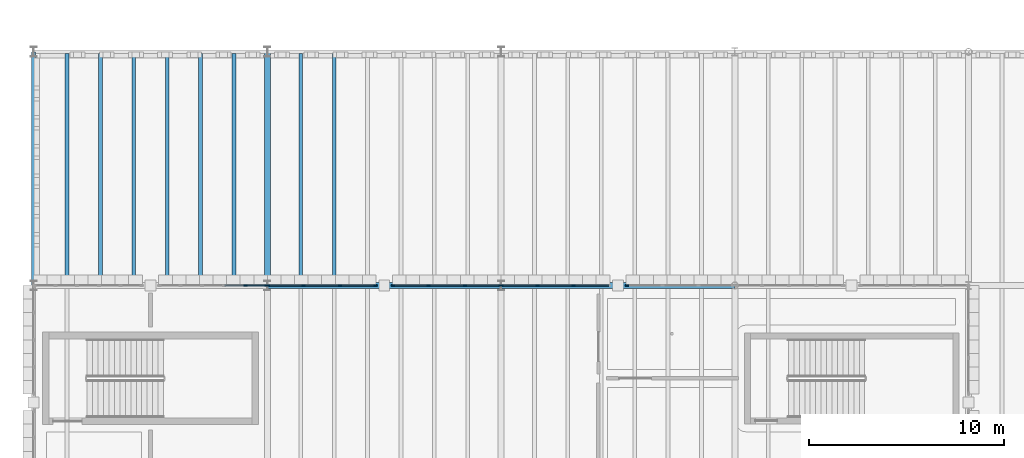
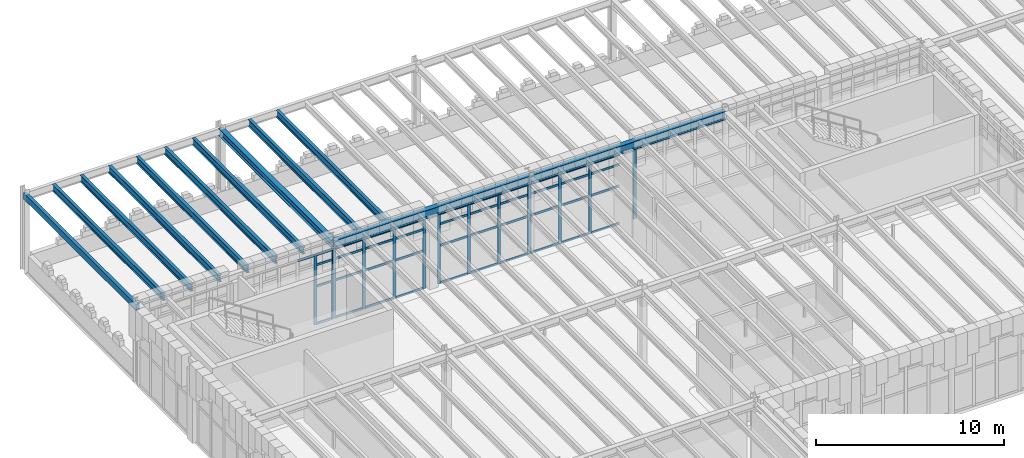
# One storey, part 25 of 100: 55 members, 12 beams, 5 elements without a shape of their own.
"""IFC4 building model written with IfcOpenShell, lengths in metres."""

import ifcopenshell
import ifcopenshell.guid

model = None  # the IFC model being written
_history = None  # IfcOwnerHistory: only IFC2X3 demands one
_inside = {}  # id of a spatial element -> (the spatial element, [elements in it])
_under = {}  # id of a project, library or spatial element -> (it, [spatial elements below it])
_declared = {}  # id of a project -> (the project, [libraries it declares])
_typed = {}  # id of a type object -> (the type object, [elements of that type])
_made_of = {}  # id of a material, layer set ... -> (it, [elements and type objects made of it])


def new_model(schema):
    """Start an empty IFC model of exactly this schema.

    Asked for "IFC4X3", IfcOpenShell would pick the latest addendum, in which some entities
    have other attributes; the version numbers below select the first issue.
    IFC2X3 requires an IfcOwnerHistory on every rooted entity: one is made here for all.
    """
    global model, _history
    if schema == "IFC4X3":
        model = ifcopenshell.file(schema_version=(4, 3, 0, 0))
    else:
        model = ifcopenshell.file(schema=schema)
    _inside.clear()
    _under.clear()
    _declared.clear()
    _typed.clear()
    _made_of.clear()
    _history = None
    if model.schema == "IFC2X3":
        org = make("IfcOrganization", Name="unknown")
        user = make(
            "IfcPersonAndOrganization",
            ThePerson=make("IfcPerson", FamilyName="unknown"),
            TheOrganization=org,
        )
        app = make(
            "IfcApplication",
            ApplicationDeveloper=org,
            Version="unknown",
            ApplicationFullName="unknown",
            ApplicationIdentifier="unknown",
        )
        _history = make(
            "IfcOwnerHistory",
            OwningUser=user,
            OwningApplication=app,
            ChangeAction="ADDED",
            CreationDate=0,
        )
    return model


def make(cls, **values):
    """One entity of the class cls with the attributes given. An attribute that is None is left unset."""
    return model.create_entity(
        cls, **{name: value for name, value in values.items() if value is not None}
    )


def rooted(cls, **values):
    """An entity with a GlobalId (a new one), such as an element, a storey or a relation."""
    return make(cls, GlobalId=ifcopenshell.guid.new(), OwnerHistory=_history, **values)


def si_unit(unit_type, name, prefix=None):
    """IfcSIUnit, for example si_unit("LENGTHUNIT", "METRE", prefix="MILLI")."""
    return make("IfcSIUnit", UnitType=unit_type, Prefix=prefix, Name=name)


def assignment(units):
    """IfcUnitAssignment: the units of a project."""
    return None if units is None else make("IfcUnitAssignment", Units=units)


def point(xyz):
    """IfcCartesianPoint."""
    return None if xyz is None else make("IfcCartesianPoint", Coordinates=xyz)


def direction(xyz):
    """IfcDirection."""
    return None if xyz is None else make("IfcDirection", DirectionRatios=xyz)


def frame(location, z_axis=None, x_axis=None):
    """IfcAxis2Placement3D, a coordinate frame: its origin and axes. An axis left out is left unset."""
    return make(
        "IfcAxis2Placement3D",
        Location=point(location),
        Axis=direction(z_axis),
        RefDirection=direction(x_axis),
    )


def frame_2d(location, x_axis=None):
    """IfcAxis2Placement2D, a coordinate frame in the plane: its origin and x axis."""
    return make(
        "IfcAxis2Placement2D", Location=point(location), RefDirection=direction(x_axis)
    )


def origin():
    """The frame at (0, 0, 0) with its axes left unset."""
    return frame((0.0, 0.0, 0.0))


def origin_2d():
    """The frame at (0, 0) in the plane with its x axis left unset."""
    return frame_2d((0.0, 0.0))


def place(relative_to, where):
    """IfcLocalPlacement: puts the frame where relative to a parent placement (None: the world)."""
    return make(
        "IfcLocalPlacement", PlacementRelTo=relative_to, RelativePlacement=where
    )


def context(
    kind, dimensions, precision=None, world=None, true_north=None, identifier=None
):
    """IfcGeometricRepresentationContext, for example the 3D "Model" context."""
    return make(
        "IfcGeometricRepresentationContext",
        ContextIdentifier=identifier,
        ContextType=kind,
        CoordinateSpaceDimension=dimensions,
        Precision=precision,
        WorldCoordinateSystem=world,
        TrueNorth=true_north,
    )


def subcontext(parent, identifier, kind, view, scale=None):
    """IfcGeometricRepresentationSubContext, for example "Body" below "Model"."""
    return make(
        "IfcGeometricRepresentationSubContext",
        ContextIdentifier=identifier,
        ContextType=kind,
        ParentContext=parent,
        TargetScale=scale,
        TargetView=view,
    )


def project(units=None, contexts=None):
    """IfcProject with its units and contexts."""
    return rooted(
        "IfcProject",
        Name="project",
        RepresentationContexts=contexts,
        UnitsInContext=assignment(units),
    )


def spatial(cls, under=None, at=None, **own):
    """A site, building, storey or space (cls), placed at a placement, below another one or the project."""
    s = rooted(cls, ObjectPlacement=at, **own)
    if under is not None:
        _under.setdefault(under.id(), (under, []))[1].append(s)
    return s


def profile(cls, at=None, kind="AREA", **sizes):
    """A parametric profile (cls). Its sizes go by their IFC names, for example OverallWidth=200.0."""
    return make(cls, ProfileType=kind, Position=at, **sizes)


def rectangle(**sizes):
    """IfcRectangleProfileDef."""
    return profile("IfcRectangleProfileDef", **sizes)


def hollow_rectangle(**sizes):
    """IfcRectangleHollowProfileDef."""
    return profile("IfcRectangleHollowProfileDef", **sizes)


def i_section(**sizes):
    """IfcIShapeProfileDef."""
    return profile("IfcIShapeProfileDef", **sizes)


def extrude(swept, where, along, depth):
    """IfcExtrudedAreaSolid: the profile swept, set in the frame where, extruded along a direction by depth."""
    return make(
        "IfcExtrudedAreaSolid",
        SweptArea=swept,
        Position=where,
        ExtrudedDirection=direction(along),
        Depth=depth,
    )


def shape(context_of_items, identifier, shape_type, items):
    """IfcShapeRepresentation: the items that make up one representation, for example the "Body"."""
    return make(
        "IfcShapeRepresentation",
        ContextOfItems=context_of_items,
        RepresentationIdentifier=identifier,
        RepresentationType=shape_type,
        Items=items,
    )


def material(Name=None, Category=None):
    """IfcMaterial."""
    return make("IfcMaterial", Name=Name, Category=Category)


def layer(
    of_material, thickness, ventilated=None, Name=None, Category=None, Priority=None
):
    """IfcMaterialLayer: one layer of a wall or slab, of a material (None: an air gap)."""
    return make(
        "IfcMaterialLayer",
        Material=of_material,
        LayerThickness=thickness,
        IsVentilated=ventilated,
        Name=Name,
        Category=Category,
        Priority=Priority,
    )


def layer_set(layers, Name=None):
    """IfcMaterialLayerSet."""
    return make("IfcMaterialLayerSet", MaterialLayers=layers, LayerSetName=Name)


def material_profile(
    of_material, cross_section, Name=None, Category=None, Priority=None
):
    """IfcMaterialProfile: a cross section and its material."""
    return make(
        "IfcMaterialProfile",
        Name=Name,
        Material=of_material,
        Profile=cross_section,
        Priority=Priority,
        Category=Category,
    )


def profile_set(profiles, Name=None, composite=None):
    """IfcMaterialProfileSet."""
    return make(
        "IfcMaterialProfileSet",
        Name=Name,
        MaterialProfiles=profiles,
        CompositeProfile=composite,
    )


def made_of(thing, what):
    """Note that an element or type object is made of a material, layer set ...; save() writes the relation."""
    if what is not None:
        _made_of.setdefault(what.id(), (what, []))[1].append(thing)
    return thing


def type_object(cls, material=None, **own):
    """A type object (cls), such as IfcWallType, which elements share."""
    return made_of(rooted(cls, **own), material)


def element(
    cls,
    number,
    at=None,
    inside=None,
    cuts=None,
    type_object=None,
    material=None,
    context=None,
    identifier="Body",
    shape_type=None,
    held_by="IfcProductDefinitionShape",
    body=None,
    shapes=None,
    **own,
):
    """One element of the class cls, such as IfcWall. Its Tag is "e" and its number.

    at: its placement. inside: the storey or other place that contains it. cuts: it is an
    opening in that element (IfcRelVoidsElement). A single representation is given by context,
    identifier, shape_type and body (its items); several are given by shapes. held_by: the class
    of the entity that holds the representations. save() writes the other relations.
    """
    e = rooted(cls, Tag="e%d" % number, ObjectPlacement=at, **own)
    if body is not None:
        shapes = [shape(context, identifier, shape_type, body)]
    if shapes is not None:
        e.Representation = make(held_by, Representations=shapes)
    if inside is not None:
        _inside.setdefault(inside.id(), (inside, []))[1].append(e)
    if cuts is not None:
        rooted(
            "IfcRelVoidsElement", RelatingBuildingElement=cuts, RelatedOpeningElement=e
        )
    if type_object is not None:
        _typed.setdefault(type_object.id(), (type_object, []))[1].append(e)
    return made_of(e, material)


def aggregate(whole, parts):
    """IfcRelAggregates: a whole, such as a stair, and the parts it consists of."""
    return rooted("IfcRelAggregates", RelatingObject=whole, RelatedObjects=parts)


def save(model, path):
    """Write the relations noted so far, then the file.

    IfcRelAggregates (storeys below a building ...), IfcRelContainedInSpatialStructure (elements
    in a storey), IfcRelDefinesByType, IfcRelAssociatesMaterial and IfcRelDeclares: one each for
    every whole, place, type object, material and project.
    """
    for whole, parts in _under.values():
        aggregate(whole, parts)
    for where, things in _inside.values():
        rooted(
            "IfcRelContainedInSpatialStructure",
            RelatedElements=things,
            RelatingStructure=where,
        )
    for kind, things in _typed.values():
        rooted("IfcRelDefinesByType", RelatedObjects=things, RelatingType=kind)
    for what, things in _made_of.values():
        rooted("IfcRelAssociatesMaterial", RelatedObjects=things, RelatingMaterial=what)
    for by, libraries in _declared.values():
        rooted("IfcRelDeclares", RelatingContext=by, RelatedDefinitions=libraries)
    model.write(path)


model = new_model("IFC4")

# Units and contexts
model_context = context("Model", 3, precision=1e-05, world=origin(), true_north=direction((0.0, 1.0)))
body_context = subcontext(model_context, "Body", "Model", "MODEL_VIEW")
ifc_project = project(units=[si_unit("LENGTHUNIT", "METRE"), si_unit("AREAUNIT", "SQUARE_METRE"), si_unit("VOLUMEUNIT", "CUBIC_METRE"), si_unit("PLANEANGLEUNIT", "RADIAN"), si_unit("MASSUNIT", "GRAM", prefix="KILO")], contexts=[model_context])

# Site, building, storey
site_placement = place(None, origin())
site = spatial("IfcSite", under=ifc_project, at=site_placement, CompositionType="ELEMENT")
building_placement = place(site_placement, origin())
building = spatial("IfcBuilding", under=site, at=building_placement, Name="Zlatogorsky Bluff Art Gallery", CompositionType="ELEMENT")
storey_placement = place(building_placement, frame((0.0, 0.0, 5.39990234375)))
storey = spatial("IfcBuildingStorey", under=building, at=storey_placement, Name="L01", CompositionType="ELEMENT", Elevation=5.39990234375)

# Beams
ifc_material_1 = material(Name="Steel S355", Category="steel")
ifc_material_profile_1 = material_profile(ifc_material_1, i_section(OverallWidth=0.300048828125, OverallDepth=0.5400390625, WebThickness=0.012451171875, FlangeThickness=0.02392578125, FilletRadius=0.027099609375, at=origin_2d()), Name="HEA 550")
ifc_profile_set_1 = profile_set([ifc_material_profile_1], Name="Steel S355")
beam_type_1 = type_object("IfcBeamType", Name="Beam BM-06 HEA 550", PredefinedType="BEAM", material=ifc_profile_set_1)
for number, where, z_axis, x_axis, name in (
    (1, (12.014892578125, 108.0, 4.840087890625), (1.0, 0.0, 0.0), (0.0, 1.0, 0.0), "Primary girder BM-06 L01 B-C/11"),
    (2, (24.014892578125, 108.0, 4.840087890625), (1.0, 0.0, 0.0), (0.0, 1.0, 0.0), "Primary girder BM-06 L01 C-D/11"),
):
    element("IfcBeam", number, at=place(storey_placement, frame(where, z_axis=z_axis, x_axis=x_axis)), inside=storey, type_object=beam_type_1, Name=name, PredefinedType="BEAM", context=body_context, shape_type="SweptSolid", body=[
        extrude(i_section(OverallWidth=0.300048828125, OverallDepth=0.5400390625, WebThickness=0.012451171875, FlangeThickness=0.02392578125, FilletRadius=0.027099609375, at=origin_2d()), origin(), (0.0, 0.0, 1.0), 11.97021484375),
    ])
ifc_material_profile_2 = material_profile(ifc_material_1, i_section(OverallWidth=0.300048828125, OverallDepth=0.489990234375, WebThickness=0.011962890625, FlangeThickness=0.02294921875, FilletRadius=0.027099609375, at=origin_2d()), Name="HEA 500")
ifc_profile_set_2 = profile_set([ifc_material_profile_2], Name="Steel S355")
beam_type_2 = type_object("IfcBeamType", Name="Beam BM-07 HEA 500", PredefinedType="BEAM", material=ifc_profile_set_2)
beam_1_placement = place(storey_placement, frame((12.0, 108.014892578125, 4.864990234375), z_axis=(0.0, 1.0, 0.0), x_axis=(-1.0, 0.0, 0.0)))
element("IfcBeam", 3, at=beam_1_placement, inside=storey, type_object=beam_type_2, Name="Primary girder BM-07 L01 B/11-12", PredefinedType="BEAM", context=body_context, shape_type="SweptSolid", body=[
    extrude(i_section(OverallWidth=0.300048828125, OverallDepth=0.489990234375, WebThickness=0.011962890625, FlangeThickness=0.02294921875, FilletRadius=0.027099609375, at=origin_2d()), origin(), (0.0, 0.0, 1.0), 11.97021484375),
])
ifc_material_profile_3 = material_profile(ifc_material_1, i_section(OverallWidth=0.18994140625, OverallDepth=0.449951171875, WebThickness=0.009521484375, FlangeThickness=0.0146484375, FilletRadius=0.02099609375, at=origin_2d()), Name="IPE 450")
ifc_profile_set_3 = profile_set([ifc_material_profile_3], Name="Steel S355")
beam_type_3 = type_object("IfcBeamType", Name="Beam JS-06 IPE 450", PredefinedType="JOIST", material=ifc_profile_set_3)
for number, where, z_axis, x_axis, name in (
    (4, (1.71435546875, 108.14990234375, 4.885009765625), (0.0, 1.0, 0.0), (-1.0, 0.0, 0.0), "Composite floor joist JS-06 L01 00.10.1"),
    (5, (3.428466796875, 108.14990234375, 4.885009765625), (0.0, 1.0, 0.0), (-1.0, 0.0, 0.0), "Composite floor joist JS-06 L01 00.10.2"),
    (6, (5.142822265625, 108.14990234375, 4.885009765625), (0.0, 1.0, 0.0), (-1.0, 0.0, 0.0), "Composite floor joist JS-06 L01 00.10.3"),
    (7, (6.857177734375, 108.14990234375, 4.885009765625), (0.0, 1.0, 0.0), (-1.0, 0.0, 0.0), "Composite floor joist JS-06 L01 00.10.4"),
    (8, (8.571533203125, 108.14990234375, 4.885009765625), (0.0, 1.0, 0.0), (-1.0, 0.0, 0.0), "Composite floor joist JS-06 L01 00.10.5"),
    (9, (10.28564453125, 108.14990234375, 4.885009765625), (0.0, 1.0, 0.0), (-1.0, 0.0, 0.0), "Composite floor joist JS-06 L01 00.10.6"),
    (10, (13.71435546875, 108.14990234375, 4.885009765625), (0.0, 1.0, 0.0), (-1.0, 0.0, 0.0), "Composite floor joist JS-06 L01 01.10.1"),
    (11, (15.428466796875, 108.14990234375, 4.885009765625), (0.0, 1.0, 0.0), (-1.0, 0.0, 0.0), "Composite floor joist JS-06 L01 01.10.2"),
):
    element("IfcBeam", number, at=place(storey_placement, frame(where, z_axis=z_axis, x_axis=x_axis)), inside=storey, type_object=beam_type_3, Name=name, PredefinedType="JOIST", context=body_context, shape_type="SweptSolid", body=[
        extrude(i_section(OverallWidth=0.18994140625, OverallDepth=0.449951171875, WebThickness=0.009521484375, FlangeThickness=0.0146484375, FilletRadius=0.02099609375, at=origin_2d()), origin(), (0.0, 0.0, 1.0), 11.75),
    ])
ifc_material_profile_4 = material_profile(ifc_material_1, hollow_rectangle(XDim=0.199951171875, YDim=0.39990234375, WallThickness=0.01611328125, at=origin_2d()), Name="RHS 400x200x16")
ifc_profile_set_4 = profile_set([ifc_material_profile_4], Name="Steel S355")
beam_type_4 = type_object("IfcBeamType", Name="Beam SP-02 RHS 400x200x16", PredefinedType="SPANDREL", material=ifc_profile_set_4)
beam_2_placement = place(storey_placement, frame((0.0, 108.014892578125, 4.91015625), z_axis=(0.0, 1.0, 0.0), x_axis=(-1.0, 0.0, 0.0)))
element("IfcBeam", 12, at=beam_2_placement, inside=storey, type_object=beam_type_4, Name="Primary girder SP-02 L01 A/11-12", PredefinedType="SPANDREL", context=body_context, shape_type="SweptSolid", body=[
    extrude(hollow_rectangle(XDim=0.199951171875, YDim=0.39990234375, WallThickness=0.01611328125, at=origin_2d()), origin(), (0.0, 0.0, 1.0), 11.97021484375),
])

# Curtain wall, members
ifc_material_2 = material(Name="Anodised Bronze Aluminium and Low-Iron Triple Glazing", Category="aluminium")
ifc_layer_1 = layer(ifc_material_2, 0.179931640625)
ifc_layer_set_1 = layer_set([ifc_layer_1], Name="Curtain Wall CW-03")
curtain_wall_type_1 = type_object("IfcCurtainWallType", Name="Curtain Wall CW-03", PredefinedType="USERDEFINED", material=ifc_layer_set_1)
curtain_wall_1_placement = place(storey_placement, origin())
curtain_wall_1 = element("IfcCurtainWall", 13, at=curtain_wall_1_placement, inside=storey, type_object=curtain_wall_type_1, Name="Unitised curtain wall CW-03 L01 N 0.9-A", ObjectType="CURTAIN WALL", PredefinedType="USERDEFINED")
ifc_material_3 = material(Name="Anodised Bronze Aluminium", Category="aluminium")
ifc_material_profile_5 = material_profile(ifc_material_3, rectangle(XDim=0.06494140625, YDim=0.179931640625, at=origin_2d()), Name="ALU MULLION 65x180")
ifc_profile_set_5 = profile_set([ifc_material_profile_5], Name="Anodised Bronze Aluminium")
member_type_1 = type_object("IfcMemberType", Name="Curtain Mullion ML-01", PredefinedType="MULLION", material=ifc_profile_set_5)
member_1_placement = place(storey_placement, frame((11.967529296875, 108.0, 0.0), z_axis=(0.0, 0.0, 1.0), x_axis=(0.0, -1.0, 0.0)))
member_1 = element("IfcMember", 14, at=member_1_placement, type_object=member_type_1, Name="CW-03 mullion 1", PredefinedType="MULLION", context=body_context, shape_type="SweptSolid", body=[
    extrude(rectangle(XDim=0.06494140625, YDim=0.179931640625, at=origin_2d()), origin(), (0.0, 0.0, 1.0), 4.530029296875),
])
member_2_placement = place(storey_placement, frame((10.884033203125, 108.0, 0.0), z_axis=(0.0, 0.0, 1.0), x_axis=(0.0, -1.0, 0.0)))
member_2 = element("IfcMember", 15, at=member_2_placement, type_object=member_type_1, Name="CW-03 mullion 2", PredefinedType="MULLION", context=body_context, shape_type="SweptSolid", body=[
    extrude(rectangle(XDim=0.06494140625, YDim=0.179931640625, at=origin_2d()), origin(), (0.0, 0.0, 1.0), 4.530029296875),
])

ifc_layer_2 = layer(ifc_material_2, 0.219970703125)
ifc_layer_set_2 = layer_set([ifc_layer_2], Name="Curtain Wall CW-04")
curtain_wall_type_2 = type_object("IfcCurtainWallType", Name="Curtain Wall CW-04", PredefinedType="USERDEFINED", material=ifc_layer_set_2)
curtain_wall_2_placement = place(storey_placement, origin())
curtain_wall_2 = element("IfcCurtainWall", 16, at=curtain_wall_2_placement, inside=storey, type_object=curtain_wall_type_2, Name="Unitised curtain wall CW-04 L01 N 1.9-A", ObjectType="CURTAIN WALL", PredefinedType="USERDEFINED")
member_3_placement = place(storey_placement, frame((23.967529296875, 108.0, 0.0), z_axis=(0.0, 0.0, 1.0), x_axis=(0.0, -1.0, 0.0)))
member_3 = element("IfcMember", 17, at=member_3_placement, type_object=member_type_1, Name="CW-04 mullion 1", PredefinedType="MULLION", context=body_context, shape_type="SweptSolid", body=[
    extrude(rectangle(XDim=0.06494140625, YDim=0.179931640625, at=origin_2d()), origin(), (0.0, 0.0, 1.0), 4.530029296875),
])
member_4_placement = place(storey_placement, frame((22.139892578125, 108.0, 0.0), z_axis=(0.0, 0.0, 1.0), x_axis=(0.0, -1.0, 0.0)))
member_4 = element("IfcMember", 18, at=member_4_placement, type_object=member_type_1, Name="CW-04 mullion 2", PredefinedType="MULLION", context=body_context, shape_type="SweptSolid", body=[
    extrude(rectangle(XDim=0.06494140625, YDim=0.179931640625, at=origin_2d()), origin(), (0.0, 0.0, 1.0), 4.530029296875),
])
member_5_placement = place(storey_placement, frame((20.280029296875, 108.0, 0.0), z_axis=(0.0, 0.0, 1.0), x_axis=(0.0, -1.0, 0.0)))
member_5 = element("IfcMember", 19, at=member_5_placement, type_object=member_type_1, Name="CW-04 mullion 3", PredefinedType="MULLION", context=body_context, shape_type="SweptSolid", body=[
    extrude(rectangle(XDim=0.06494140625, YDim=0.179931640625, at=origin_2d()), origin(), (0.0, 0.0, 1.0), 4.530029296875),
])
member_6_placement = place(storey_placement, frame((18.452392578125, 108.0, 0.0), z_axis=(0.0, 0.0, 1.0), x_axis=(0.0, -1.0, 0.0)))
member_6 = element("IfcMember", 20, at=member_6_placement, type_object=member_type_1, Name="CW-04 mullion 4", PredefinedType="MULLION", context=body_context, shape_type="SweptSolid", body=[
    extrude(rectangle(XDim=0.06494140625, YDim=0.179931640625, at=origin_2d()), origin(), (0.0, 0.0, 1.0), 4.530029296875),
])

curtain_wall_3_placement = place(storey_placement, origin())
curtain_wall_3 = element("IfcCurtainWall", 21, at=curtain_wall_3_placement, inside=storey, type_object=curtain_wall_type_2, Name="Unitised curtain wall CW-04 L01 N 1.9-B", ObjectType="CURTAIN WALL", PredefinedType="USERDEFINED")
member_7_placement = place(storey_placement, frame((17.547607421875, 108.0, 0.0), z_axis=(0.0, 0.0, 1.0), x_axis=(0.0, -1.0, 0.0)))
member_7 = element("IfcMember", 22, at=member_7_placement, type_object=member_type_1, Name="CW-04 mullion 1", PredefinedType="MULLION", context=body_context, shape_type="SweptSolid", body=[
    extrude(rectangle(XDim=0.06494140625, YDim=0.179931640625, at=origin_2d()), origin(), (0.0, 0.0, 1.0), 4.530029296875),
])
member_8_placement = place(storey_placement, frame((15.719970703125, 108.0, 0.0), z_axis=(0.0, 0.0, 1.0), x_axis=(0.0, -1.0, 0.0)))
member_8 = element("IfcMember", 23, at=member_8_placement, type_object=member_type_1, Name="CW-04 mullion 2", PredefinedType="MULLION", context=body_context, shape_type="SweptSolid", body=[
    extrude(rectangle(XDim=0.06494140625, YDim=0.179931640625, at=origin_2d()), origin(), (0.0, 0.0, 1.0), 4.530029296875),
])
member_9_placement = place(storey_placement, frame((13.860107421875, 108.0, 0.0), z_axis=(0.0, 0.0, 1.0), x_axis=(0.0, -1.0, 0.0)))
member_9 = element("IfcMember", 24, at=member_9_placement, type_object=member_type_1, Name="CW-04 mullion 3", PredefinedType="MULLION", context=body_context, shape_type="SweptSolid", body=[
    extrude(rectangle(XDim=0.06494140625, YDim=0.179931640625, at=origin_2d()), origin(), (0.0, 0.0, 1.0), 4.530029296875),
])
member_10_placement = place(storey_placement, frame((12.032470703125, 108.0, 0.0), z_axis=(0.0, 0.0, 1.0), x_axis=(0.0, -1.0, 0.0)))
member_10 = element("IfcMember", 25, at=member_10_placement, type_object=member_type_1, Name="CW-04 mullion 4", PredefinedType="MULLION", context=body_context, shape_type="SweptSolid", body=[
    extrude(rectangle(XDim=0.06494140625, YDim=0.179931640625, at=origin_2d()), origin(), (0.0, 0.0, 1.0), 4.530029296875),
])

# Curtain wall, member
curtain_wall_4_placement = place(storey_placement, origin())
curtain_wall_4 = element("IfcCurtainWall", 26, at=curtain_wall_4_placement, inside=storey, type_object=curtain_wall_type_2, Name="Unitised curtain wall CW-04 L01 N 2.9-A", ObjectType="CURTAIN WALL", PredefinedType="USERDEFINED")
member_11_placement = place(storey_placement, frame((30.452392578125, 108.0, 0.0), z_axis=(0.0, 0.0, 1.0), x_axis=(0.0, -1.0, 0.0)))
member_11 = element("IfcMember", 27, at=member_11_placement, type_object=member_type_1, Name="CW-04 mullion 4", PredefinedType="MULLION", context=body_context, shape_type="SweptSolid", body=[
    extrude(rectangle(XDim=0.06494140625, YDim=0.179931640625, at=origin_2d()), origin(), (0.0, 0.0, 1.0), 4.530029296875),
])
aggregate(curtain_wall_4, [member_11])

# Curtain wall, members
curtain_wall_5_placement = place(storey_placement, origin())
curtain_wall_5 = element("IfcCurtainWall", 28, at=curtain_wall_5_placement, inside=storey, type_object=curtain_wall_type_2, Name="Unitised curtain wall CW-04 L01 N 2.9-B", ObjectType="CURTAIN WALL", PredefinedType="USERDEFINED")
member_12_placement = place(storey_placement, frame((27.719970703125, 108.0, 0.0), z_axis=(0.0, 0.0, 1.0), x_axis=(0.0, -1.0, 0.0)))
member_12 = element("IfcMember", 29, at=member_12_placement, type_object=member_type_1, Name="CW-04 mullion 2", PredefinedType="MULLION", context=body_context, shape_type="SweptSolid", body=[
    extrude(rectangle(XDim=0.06494140625, YDim=0.179931640625, at=origin_2d()), origin(), (0.0, 0.0, 1.0), 4.530029296875),
])
member_13_placement = place(storey_placement, frame((25.860107421875, 108.0, 0.0), z_axis=(0.0, 0.0, 1.0), x_axis=(0.0, -1.0, 0.0)))
member_13 = element("IfcMember", 30, at=member_13_placement, type_object=member_type_1, Name="CW-04 mullion 3", PredefinedType="MULLION", context=body_context, shape_type="SweptSolid", body=[
    extrude(rectangle(XDim=0.06494140625, YDim=0.179931640625, at=origin_2d()), origin(), (0.0, 0.0, 1.0), 4.530029296875),
])
member_14_placement = place(storey_placement, frame((24.032470703125, 108.0, 0.0), z_axis=(0.0, 0.0, 1.0), x_axis=(0.0, -1.0, 0.0)))
member_14 = element("IfcMember", 31, at=member_14_placement, type_object=member_type_1, Name="CW-04 mullion 4", PredefinedType="MULLION", context=body_context, shape_type="SweptSolid", body=[
    extrude(rectangle(XDim=0.06494140625, YDim=0.179931640625, at=origin_2d()), origin(), (0.0, 0.0, 1.0), 4.530029296875),
])

# Member
ifc_material_profile_6 = material_profile(ifc_material_3, rectangle(XDim=0.06494140625, YDim=0.139892578125, at=origin_2d()), Name="ALU TRANSOM 65x140")
ifc_profile_set_6 = profile_set([ifc_material_profile_6], Name="Anodised Bronze Aluminium")
member_type_2 = type_object("IfcMemberType", Name="Curtain Transom TR-01", PredefinedType="USERDEFINED", material=ifc_profile_set_6)
member_15_placement = place(storey_placement, frame((11.93505859375, 108.0, 0.03271484375), z_axis=(-1.0, 0.0, 0.0), x_axis=(0.0, -1.0, 0.0)))
member_15 = element("IfcMember", 32, at=member_15_placement, type_object=member_type_2, Name="CW-03 transom 1.1", ObjectType="TRANSOM", PredefinedType="USERDEFINED", context=body_context, shape_type="SweptSolid", body=[
    extrude(rectangle(XDim=0.06494140625, YDim=0.139892578125, at=origin_2d()), origin(), (0.0, 0.0, 1.0), 1.0185546875),
])

member_16_placement = place(storey_placement, frame((11.93505859375, 108.0, 2.4501953125), z_axis=(-1.0, 0.0, 0.0), x_axis=(0.0, -1.0, 0.0)))
member_16 = element("IfcMember", 33, at=member_16_placement, type_object=member_type_2, Name="CW-03 transom 1.2", ObjectType="TRANSOM", PredefinedType="USERDEFINED", context=body_context, shape_type="SweptSolid", body=[
    extrude(rectangle(XDim=0.06494140625, YDim=0.139892578125, at=origin_2d()), origin(), (0.0, 0.0, 1.0), 1.0185546875),
])

member_17_placement = place(storey_placement, frame((11.93505859375, 108.0, 3.85009765625), z_axis=(-1.0, 0.0, 0.0), x_axis=(0.0, -1.0, 0.0)))
member_17 = element("IfcMember", 34, at=member_17_placement, type_object=member_type_2, Name="CW-03 transom 1.3", ObjectType="TRANSOM", PredefinedType="USERDEFINED", context=body_context, shape_type="SweptSolid", body=[
    extrude(rectangle(XDim=0.06494140625, YDim=0.139892578125, at=origin_2d()), origin(), (0.0, 0.0, 1.0), 1.0185546875),
])

member_18_placement = place(storey_placement, frame((11.93505859375, 108.0, 4.49755859375), z_axis=(-1.0, 0.0, 0.0), x_axis=(0.0, -1.0, 0.0)))
member_18 = element("IfcMember", 35, at=member_18_placement, type_object=member_type_2, Name="CW-03 transom 1.4", ObjectType="TRANSOM", PredefinedType="USERDEFINED", context=body_context, shape_type="SweptSolid", body=[
    extrude(rectangle(XDim=0.06494140625, YDim=0.139892578125, at=origin_2d()), origin(), (0.0, 0.0, 1.0), 1.0185546875),
])

member_19_placement = place(storey_placement, frame((10.8515625, 108.0, 4.49755859375), z_axis=(-1.0, 0.0, 0.0), x_axis=(0.0, -1.0, 0.0)))
member_19 = element("IfcMember", 36, at=member_19_placement, type_object=member_type_2, Name="CW-03 transom 2.4", ObjectType="TRANSOM", PredefinedType="USERDEFINED", context=body_context, shape_type="SweptSolid", body=[
    extrude(rectangle(XDim=0.06494140625, YDim=0.139892578125, at=origin_2d()), origin(), (0.0, 0.0, 1.0), 1.051025390625),
])

aggregate(curtain_wall_1, [member_1, member_2, member_15, member_16, member_17, member_18, member_19])

member_20_placement = place(storey_placement, frame((23.93505859375, 108.0, 0.03271484375), z_axis=(-1.0, 0.0, 0.0), x_axis=(0.0, -1.0, 0.0)))
member_20 = element("IfcMember", 37, at=member_20_placement, type_object=member_type_2, Name="CW-04 transom 1.1", ObjectType="TRANSOM", PredefinedType="USERDEFINED", context=body_context, shape_type="SweptSolid", body=[
    extrude(rectangle(XDim=0.06494140625, YDim=0.139892578125, at=origin_2d()), origin(), (0.0, 0.0, 1.0), 1.762451171875),
])

member_21_placement = place(storey_placement, frame((23.93505859375, 108.0, 2.4501953125), z_axis=(-1.0, 0.0, 0.0), x_axis=(0.0, -1.0, 0.0)))
member_21 = element("IfcMember", 38, at=member_21_placement, type_object=member_type_2, Name="CW-04 transom 1.2", ObjectType="TRANSOM", PredefinedType="USERDEFINED", context=body_context, shape_type="SweptSolid", body=[
    extrude(rectangle(XDim=0.06494140625, YDim=0.139892578125, at=origin_2d()), origin(), (0.0, 0.0, 1.0), 1.762451171875),
])

member_22_placement = place(storey_placement, frame((23.93505859375, 108.0, 3.85009765625), z_axis=(-1.0, 0.0, 0.0), x_axis=(0.0, -1.0, 0.0)))
member_22 = element("IfcMember", 39, at=member_22_placement, type_object=member_type_2, Name="CW-04 transom 1.3", ObjectType="TRANSOM", PredefinedType="USERDEFINED", context=body_context, shape_type="SweptSolid", body=[
    extrude(rectangle(XDim=0.06494140625, YDim=0.139892578125, at=origin_2d()), origin(), (0.0, 0.0, 1.0), 1.762451171875),
])

member_23_placement = place(storey_placement, frame((23.93505859375, 108.0, 4.49755859375), z_axis=(-1.0, 0.0, 0.0), x_axis=(0.0, -1.0, 0.0)))
member_23 = element("IfcMember", 40, at=member_23_placement, type_object=member_type_2, Name="CW-04 transom 1.4", ObjectType="TRANSOM", PredefinedType="USERDEFINED", context=body_context, shape_type="SweptSolid", body=[
    extrude(rectangle(XDim=0.06494140625, YDim=0.139892578125, at=origin_2d()), origin(), (0.0, 0.0, 1.0), 1.762451171875),
])

member_24_placement = place(storey_placement, frame((22.107421875, 108.0, 0.03271484375), z_axis=(-1.0, 0.0, 0.0), x_axis=(0.0, -1.0, 0.0)))
member_24 = element("IfcMember", 41, at=member_24_placement, type_object=member_type_2, Name="CW-04 transom 2.1", ObjectType="TRANSOM", PredefinedType="USERDEFINED", context=body_context, shape_type="SweptSolid", body=[
    extrude(rectangle(XDim=0.06494140625, YDim=0.139892578125, at=origin_2d()), origin(), (0.0, 0.0, 1.0), 1.794921875),
])

member_25_placement = place(storey_placement, frame((22.107421875, 108.0, 2.4501953125), z_axis=(-1.0, 0.0, 0.0), x_axis=(0.0, -1.0, 0.0)))
member_25 = element("IfcMember", 42, at=member_25_placement, type_object=member_type_2, Name="CW-04 transom 2.2", ObjectType="TRANSOM", PredefinedType="USERDEFINED", context=body_context, shape_type="SweptSolid", body=[
    extrude(rectangle(XDim=0.06494140625, YDim=0.139892578125, at=origin_2d()), origin(), (0.0, 0.0, 1.0), 1.794921875),
])

member_26_placement = place(storey_placement, frame((22.107421875, 108.0, 3.85009765625), z_axis=(-1.0, 0.0, 0.0), x_axis=(0.0, -1.0, 0.0)))
member_26 = element("IfcMember", 43, at=member_26_placement, type_object=member_type_2, Name="CW-04 transom 2.3", ObjectType="TRANSOM", PredefinedType="USERDEFINED", context=body_context, shape_type="SweptSolid", body=[
    extrude(rectangle(XDim=0.06494140625, YDim=0.139892578125, at=origin_2d()), origin(), (0.0, 0.0, 1.0), 1.794921875),
])

member_27_placement = place(storey_placement, frame((22.107421875, 108.0, 4.49755859375), z_axis=(-1.0, 0.0, 0.0), x_axis=(0.0, -1.0, 0.0)))
member_27 = element("IfcMember", 44, at=member_27_placement, type_object=member_type_2, Name="CW-04 transom 2.4", ObjectType="TRANSOM", PredefinedType="USERDEFINED", context=body_context, shape_type="SweptSolid", body=[
    extrude(rectangle(XDim=0.06494140625, YDim=0.139892578125, at=origin_2d()), origin(), (0.0, 0.0, 1.0), 1.794921875),
])

member_28_placement = place(storey_placement, frame((20.24755859375, 108.0, 0.03271484375), z_axis=(-1.0, 0.0, 0.0), x_axis=(0.0, -1.0, 0.0)))
member_28 = element("IfcMember", 45, at=member_28_placement, type_object=member_type_2, Name="CW-04 transom 3.1", ObjectType="TRANSOM", PredefinedType="USERDEFINED", context=body_context, shape_type="SweptSolid", body=[
    extrude(rectangle(XDim=0.06494140625, YDim=0.139892578125, at=origin_2d()), origin(), (0.0, 0.0, 1.0), 1.762451171875),
])

member_29_placement = place(storey_placement, frame((20.24755859375, 108.0, 2.4501953125), z_axis=(-1.0, 0.0, 0.0), x_axis=(0.0, -1.0, 0.0)))
member_29 = element("IfcMember", 46, at=member_29_placement, type_object=member_type_2, Name="CW-04 transom 3.2", ObjectType="TRANSOM", PredefinedType="USERDEFINED", context=body_context, shape_type="SweptSolid", body=[
    extrude(rectangle(XDim=0.06494140625, YDim=0.139892578125, at=origin_2d()), origin(), (0.0, 0.0, 1.0), 1.762451171875),
])

member_30_placement = place(storey_placement, frame((20.24755859375, 108.0, 3.85009765625), z_axis=(-1.0, 0.0, 0.0), x_axis=(0.0, -1.0, 0.0)))
member_30 = element("IfcMember", 47, at=member_30_placement, type_object=member_type_2, Name="CW-04 transom 3.3", ObjectType="TRANSOM", PredefinedType="USERDEFINED", context=body_context, shape_type="SweptSolid", body=[
    extrude(rectangle(XDim=0.06494140625, YDim=0.139892578125, at=origin_2d()), origin(), (0.0, 0.0, 1.0), 1.762451171875),
])

member_31_placement = place(storey_placement, frame((20.24755859375, 108.0, 4.49755859375), z_axis=(-1.0, 0.0, 0.0), x_axis=(0.0, -1.0, 0.0)))
member_31 = element("IfcMember", 48, at=member_31_placement, type_object=member_type_2, Name="CW-04 transom 3.4", ObjectType="TRANSOM", PredefinedType="USERDEFINED", context=body_context, shape_type="SweptSolid", body=[
    extrude(rectangle(XDim=0.06494140625, YDim=0.139892578125, at=origin_2d()), origin(), (0.0, 0.0, 1.0), 1.762451171875),
])

aggregate(curtain_wall_2, [member_3, member_4, member_5, member_6, member_20, member_21, member_22, member_23, member_24, member_25, member_26, member_27, member_28, member_29, member_30, member_31])

member_32_placement = place(storey_placement, frame((17.514892578125, 108.0, 0.03271484375), z_axis=(-1.0, 0.0, 0.0), x_axis=(0.0, -1.0, 0.0)))
member_32 = element("IfcMember", 49, at=member_32_placement, type_object=member_type_2, Name="CW-04 transom 1.1", ObjectType="TRANSOM", PredefinedType="USERDEFINED", context=body_context, shape_type="SweptSolid", body=[
    extrude(rectangle(XDim=0.06494140625, YDim=0.139892578125, at=origin_2d()), origin(), (0.0, 0.0, 1.0), 1.762451171875),
])

member_33_placement = place(storey_placement, frame((17.514892578125, 108.0, 2.4501953125), z_axis=(-1.0, 0.0, 0.0), x_axis=(0.0, -1.0, 0.0)))
member_33 = element("IfcMember", 50, at=member_33_placement, type_object=member_type_2, Name="CW-04 transom 1.2", ObjectType="TRANSOM", PredefinedType="USERDEFINED", context=body_context, shape_type="SweptSolid", body=[
    extrude(rectangle(XDim=0.06494140625, YDim=0.139892578125, at=origin_2d()), origin(), (0.0, 0.0, 1.0), 1.762451171875),
])

member_34_placement = place(storey_placement, frame((17.514892578125, 108.0, 3.85009765625), z_axis=(-1.0, 0.0, 0.0), x_axis=(0.0, -1.0, 0.0)))
member_34 = element("IfcMember", 51, at=member_34_placement, type_object=member_type_2, Name="CW-04 transom 1.3", ObjectType="TRANSOM", PredefinedType="USERDEFINED", context=body_context, shape_type="SweptSolid", body=[
    extrude(rectangle(XDim=0.06494140625, YDim=0.139892578125, at=origin_2d()), origin(), (0.0, 0.0, 1.0), 1.762451171875),
])

member_35_placement = place(storey_placement, frame((17.514892578125, 108.0, 4.49755859375), z_axis=(-1.0, 0.0, 0.0), x_axis=(0.0, -1.0, 0.0)))
member_35 = element("IfcMember", 52, at=member_35_placement, type_object=member_type_2, Name="CW-04 transom 1.4", ObjectType="TRANSOM", PredefinedType="USERDEFINED", context=body_context, shape_type="SweptSolid", body=[
    extrude(rectangle(XDim=0.06494140625, YDim=0.139892578125, at=origin_2d()), origin(), (0.0, 0.0, 1.0), 1.762451171875),
])

member_36_placement = place(storey_placement, frame((15.6875, 108.0, 0.03271484375), z_axis=(-1.0, 0.0, 0.0), x_axis=(0.0, -1.0, 0.0)))
member_36 = element("IfcMember", 53, at=member_36_placement, type_object=member_type_2, Name="CW-04 transom 2.1", ObjectType="TRANSOM", PredefinedType="USERDEFINED", context=body_context, shape_type="SweptSolid", body=[
    extrude(rectangle(XDim=0.06494140625, YDim=0.139892578125, at=origin_2d()), origin(), (0.0, 0.0, 1.0), 1.794921875),
])

member_37_placement = place(storey_placement, frame((15.6875, 108.0, 2.4501953125), z_axis=(-1.0, 0.0, 0.0), x_axis=(0.0, -1.0, 0.0)))
member_37 = element("IfcMember", 54, at=member_37_placement, type_object=member_type_2, Name="CW-04 transom 2.2", ObjectType="TRANSOM", PredefinedType="USERDEFINED", context=body_context, shape_type="SweptSolid", body=[
    extrude(rectangle(XDim=0.06494140625, YDim=0.139892578125, at=origin_2d()), origin(), (0.0, 0.0, 1.0), 1.794921875),
])

member_38_placement = place(storey_placement, frame((15.6875, 108.0, 3.85009765625), z_axis=(-1.0, 0.0, 0.0), x_axis=(0.0, -1.0, 0.0)))
member_38 = element("IfcMember", 55, at=member_38_placement, type_object=member_type_2, Name="CW-04 transom 2.3", ObjectType="TRANSOM", PredefinedType="USERDEFINED", context=body_context, shape_type="SweptSolid", body=[
    extrude(rectangle(XDim=0.06494140625, YDim=0.139892578125, at=origin_2d()), origin(), (0.0, 0.0, 1.0), 1.794921875),
])

member_39_placement = place(storey_placement, frame((15.6875, 108.0, 4.49755859375), z_axis=(-1.0, 0.0, 0.0), x_axis=(0.0, -1.0, 0.0)))
member_39 = element("IfcMember", 56, at=member_39_placement, type_object=member_type_2, Name="CW-04 transom 2.4", ObjectType="TRANSOM", PredefinedType="USERDEFINED", context=body_context, shape_type="SweptSolid", body=[
    extrude(rectangle(XDim=0.06494140625, YDim=0.139892578125, at=origin_2d()), origin(), (0.0, 0.0, 1.0), 1.794921875),
])

member_40_placement = place(storey_placement, frame((13.827392578125, 108.0, 0.03271484375), z_axis=(-1.0, 0.0, 0.0), x_axis=(0.0, -1.0, 0.0)))
member_40 = element("IfcMember", 57, at=member_40_placement, type_object=member_type_2, Name="CW-04 transom 3.1", ObjectType="TRANSOM", PredefinedType="USERDEFINED", context=body_context, shape_type="SweptSolid", body=[
    extrude(rectangle(XDim=0.06494140625, YDim=0.139892578125, at=origin_2d()), origin(), (0.0, 0.0, 1.0), 1.762451171875),
])

member_41_placement = place(storey_placement, frame((13.827392578125, 108.0, 2.4501953125), z_axis=(-1.0, 0.0, 0.0), x_axis=(0.0, -1.0, 0.0)))
member_41 = element("IfcMember", 58, at=member_41_placement, type_object=member_type_2, Name="CW-04 transom 3.2", ObjectType="TRANSOM", PredefinedType="USERDEFINED", context=body_context, shape_type="SweptSolid", body=[
    extrude(rectangle(XDim=0.06494140625, YDim=0.139892578125, at=origin_2d()), origin(), (0.0, 0.0, 1.0), 1.762451171875),
])

member_42_placement = place(storey_placement, frame((13.827392578125, 108.0, 3.85009765625), z_axis=(-1.0, 0.0, 0.0), x_axis=(0.0, -1.0, 0.0)))
member_42 = element("IfcMember", 59, at=member_42_placement, type_object=member_type_2, Name="CW-04 transom 3.3", ObjectType="TRANSOM", PredefinedType="USERDEFINED", context=body_context, shape_type="SweptSolid", body=[
    extrude(rectangle(XDim=0.06494140625, YDim=0.139892578125, at=origin_2d()), origin(), (0.0, 0.0, 1.0), 1.762451171875),
])

member_43_placement = place(storey_placement, frame((13.827392578125, 108.0, 4.49755859375), z_axis=(-1.0, 0.0, 0.0), x_axis=(0.0, -1.0, 0.0)))
member_43 = element("IfcMember", 60, at=member_43_placement, type_object=member_type_2, Name="CW-04 transom 3.4", ObjectType="TRANSOM", PredefinedType="USERDEFINED", context=body_context, shape_type="SweptSolid", body=[
    extrude(rectangle(XDim=0.06494140625, YDim=0.139892578125, at=origin_2d()), origin(), (0.0, 0.0, 1.0), 1.762451171875),
])

aggregate(curtain_wall_3, [member_7, member_8, member_9, member_10, member_32, member_33, member_34, member_35, member_36, member_37, member_38, member_39, member_40, member_41, member_42, member_43])

member_44_placement = place(storey_placement, frame((29.514892578125, 108.0, 0.03271484375), z_axis=(-1.0, 0.0, 0.0), x_axis=(0.0, -1.0, 0.0)))
member_44 = element("IfcMember", 61, at=member_44_placement, type_object=member_type_2, Name="CW-04 transom 1.1", ObjectType="TRANSOM", PredefinedType="USERDEFINED", context=body_context, shape_type="SweptSolid", body=[
    extrude(rectangle(XDim=0.06494140625, YDim=0.139892578125, at=origin_2d()), origin(), (0.0, 0.0, 1.0), 1.762451171875),
])

member_45_placement = place(storey_placement, frame((29.514892578125, 108.0, 2.4501953125), z_axis=(-1.0, 0.0, 0.0), x_axis=(0.0, -1.0, 0.0)))
member_45 = element("IfcMember", 62, at=member_45_placement, type_object=member_type_2, Name="CW-04 transom 1.2", ObjectType="TRANSOM", PredefinedType="USERDEFINED", context=body_context, shape_type="SweptSolid", body=[
    extrude(rectangle(XDim=0.06494140625, YDim=0.139892578125, at=origin_2d()), origin(), (0.0, 0.0, 1.0), 1.762451171875),
])

member_46_placement = place(storey_placement, frame((29.514892578125, 108.0, 3.85009765625), z_axis=(-1.0, 0.0, 0.0), x_axis=(0.0, -1.0, 0.0)))
member_46 = element("IfcMember", 63, at=member_46_placement, type_object=member_type_2, Name="CW-04 transom 1.3", ObjectType="TRANSOM", PredefinedType="USERDEFINED", context=body_context, shape_type="SweptSolid", body=[
    extrude(rectangle(XDim=0.06494140625, YDim=0.139892578125, at=origin_2d()), origin(), (0.0, 0.0, 1.0), 1.762451171875),
])

member_47_placement = place(storey_placement, frame((29.514892578125, 108.0, 4.49755859375), z_axis=(-1.0, 0.0, 0.0), x_axis=(0.0, -1.0, 0.0)))
member_47 = element("IfcMember", 64, at=member_47_placement, type_object=member_type_2, Name="CW-04 transom 1.4", ObjectType="TRANSOM", PredefinedType="USERDEFINED", context=body_context, shape_type="SweptSolid", body=[
    extrude(rectangle(XDim=0.06494140625, YDim=0.139892578125, at=origin_2d()), origin(), (0.0, 0.0, 1.0), 1.762451171875),
])

member_48_placement = place(storey_placement, frame((27.6875, 108.0, 0.03271484375), z_axis=(-1.0, 0.0, 0.0), x_axis=(0.0, -1.0, 0.0)))
member_48 = element("IfcMember", 65, at=member_48_placement, type_object=member_type_2, Name="CW-04 transom 2.1", ObjectType="TRANSOM", PredefinedType="USERDEFINED", context=body_context, shape_type="SweptSolid", body=[
    extrude(rectangle(XDim=0.06494140625, YDim=0.139892578125, at=origin_2d()), origin(), (0.0, 0.0, 1.0), 1.794921875),
])

member_49_placement = place(storey_placement, frame((27.6875, 108.0, 2.4501953125), z_axis=(-1.0, 0.0, 0.0), x_axis=(0.0, -1.0, 0.0)))
member_49 = element("IfcMember", 66, at=member_49_placement, type_object=member_type_2, Name="CW-04 transom 2.2", ObjectType="TRANSOM", PredefinedType="USERDEFINED", context=body_context, shape_type="SweptSolid", body=[
    extrude(rectangle(XDim=0.06494140625, YDim=0.139892578125, at=origin_2d()), origin(), (0.0, 0.0, 1.0), 1.794921875),
])

member_50_placement = place(storey_placement, frame((27.6875, 108.0, 3.85009765625), z_axis=(-1.0, 0.0, 0.0), x_axis=(0.0, -1.0, 0.0)))
member_50 = element("IfcMember", 67, at=member_50_placement, type_object=member_type_2, Name="CW-04 transom 2.3", ObjectType="TRANSOM", PredefinedType="USERDEFINED", context=body_context, shape_type="SweptSolid", body=[
    extrude(rectangle(XDim=0.06494140625, YDim=0.139892578125, at=origin_2d()), origin(), (0.0, 0.0, 1.0), 1.794921875),
])

member_51_placement = place(storey_placement, frame((27.6875, 108.0, 4.49755859375), z_axis=(-1.0, 0.0, 0.0), x_axis=(0.0, -1.0, 0.0)))
member_51 = element("IfcMember", 68, at=member_51_placement, type_object=member_type_2, Name="CW-04 transom 2.4", ObjectType="TRANSOM", PredefinedType="USERDEFINED", context=body_context, shape_type="SweptSolid", body=[
    extrude(rectangle(XDim=0.06494140625, YDim=0.139892578125, at=origin_2d()), origin(), (0.0, 0.0, 1.0), 1.794921875),
])

member_52_placement = place(storey_placement, frame((25.827392578125, 108.0, 0.03271484375), z_axis=(-1.0, 0.0, 0.0), x_axis=(0.0, -1.0, 0.0)))
member_52 = element("IfcMember", 69, at=member_52_placement, type_object=member_type_2, Name="CW-04 transom 3.1", ObjectType="TRANSOM", PredefinedType="USERDEFINED", context=body_context, shape_type="SweptSolid", body=[
    extrude(rectangle(XDim=0.06494140625, YDim=0.139892578125, at=origin_2d()), origin(), (0.0, 0.0, 1.0), 1.762451171875),
])

member_53_placement = place(storey_placement, frame((25.827392578125, 108.0, 2.4501953125), z_axis=(-1.0, 0.0, 0.0), x_axis=(0.0, -1.0, 0.0)))
member_53 = element("IfcMember", 70, at=member_53_placement, type_object=member_type_2, Name="CW-04 transom 3.2", ObjectType="TRANSOM", PredefinedType="USERDEFINED", context=body_context, shape_type="SweptSolid", body=[
    extrude(rectangle(XDim=0.06494140625, YDim=0.139892578125, at=origin_2d()), origin(), (0.0, 0.0, 1.0), 1.762451171875),
])

member_54_placement = place(storey_placement, frame((25.827392578125, 108.0, 3.85009765625), z_axis=(-1.0, 0.0, 0.0), x_axis=(0.0, -1.0, 0.0)))
member_54 = element("IfcMember", 71, at=member_54_placement, type_object=member_type_2, Name="CW-04 transom 3.3", ObjectType="TRANSOM", PredefinedType="USERDEFINED", context=body_context, shape_type="SweptSolid", body=[
    extrude(rectangle(XDim=0.06494140625, YDim=0.139892578125, at=origin_2d()), origin(), (0.0, 0.0, 1.0), 1.762451171875),
])

member_55_placement = place(storey_placement, frame((25.827392578125, 108.0, 4.49755859375), z_axis=(-1.0, 0.0, 0.0), x_axis=(0.0, -1.0, 0.0)))
member_55 = element("IfcMember", 72, at=member_55_placement, type_object=member_type_2, Name="CW-04 transom 3.4", ObjectType="TRANSOM", PredefinedType="USERDEFINED", context=body_context, shape_type="SweptSolid", body=[
    extrude(rectangle(XDim=0.06494140625, YDim=0.139892578125, at=origin_2d()), origin(), (0.0, 0.0, 1.0), 1.762451171875),
])

aggregate(curtain_wall_5, [member_12, member_13, member_14, member_44, member_45, member_46, member_47, member_48, member_49, member_50, member_51, member_52, member_53, member_54, member_55])

save(model, "model.ifc")
